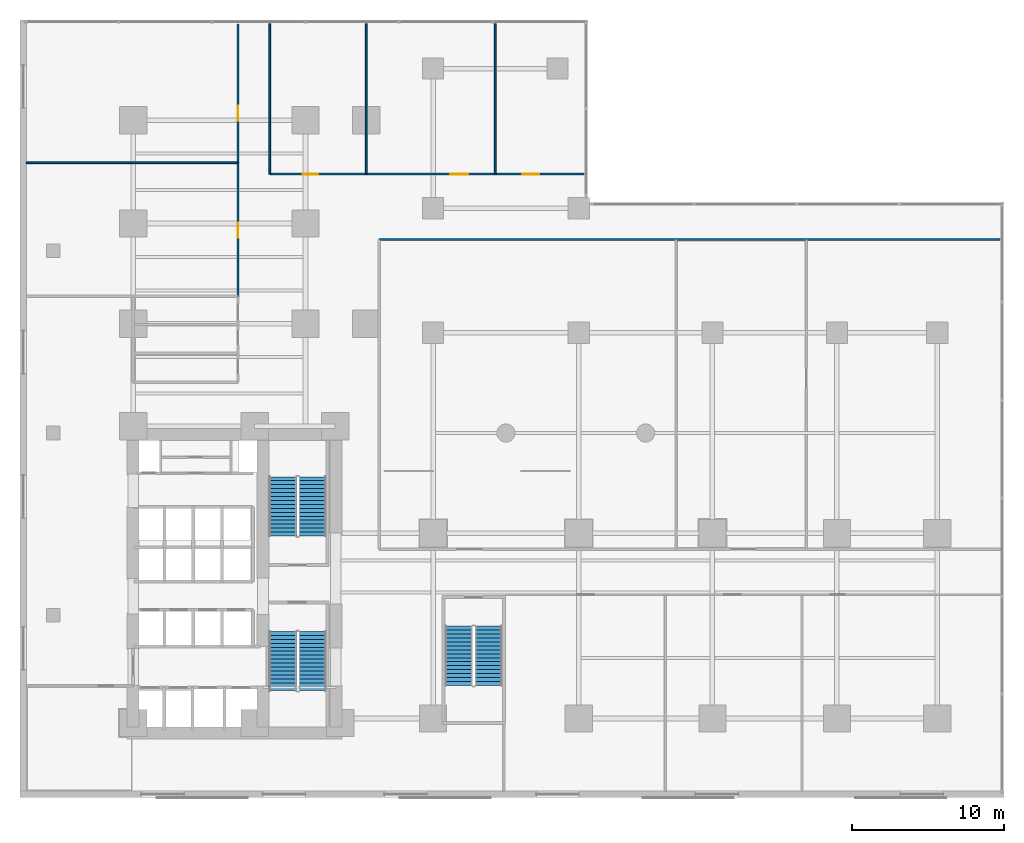
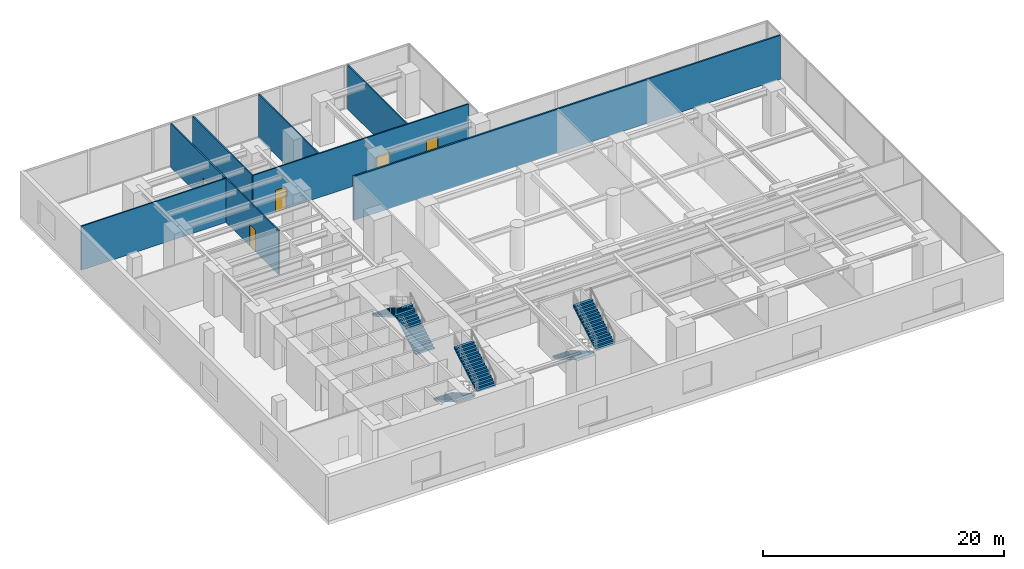
# One storey, part 14 of 16: 7 walls, 6 stair flights, 5 doors, 5 openings, 3 elements without a shape of their own.
"""IFC4 building model written with IfcOpenShell, lengths in metres."""

from ifc_helpers import new_model, si_unit, direction, frame, frame_2d, origin, place, context, subcontext, project, spatial, polyline, rectangle, outline, extrude, material, layer, layer_set, type_object, element, fill, aggregate, save


model = new_model("IFC4")

# Units and contexts
model_context = context("Model", 3, precision=1e-05, world=origin(), true_north=direction((0.0, 1.0)))
body_context = subcontext(model_context, "Body", "Model", "MODEL_VIEW")
ifc_project = project(units=[si_unit("LENGTHUNIT", "METRE"), si_unit("AREAUNIT", "SQUARE_METRE"), si_unit("VOLUMEUNIT", "CUBIC_METRE"), si_unit("PLANEANGLEUNIT", "RADIAN"), si_unit("MASSUNIT", "GRAM", prefix="KILO")], contexts=[model_context])

# Site, building, storey
site_placement = place(None, origin())
site = spatial("IfcSite", under=ifc_project, at=site_placement, CompositionType="ELEMENT")
building_placement = place(site_placement, origin())
building = spatial("IfcBuilding", under=site, at=building_placement, Name="Kolvaren Waterfront Exchange", CompositionType="ELEMENT")
storey_placement = place(building_placement, frame((0.0, 0.0, 20.0)))
storey = spatial("IfcBuildingStorey", under=building, at=storey_placement, Name="L05", CompositionType="ELEMENT", Elevation=20.0)

# Wall, openings, doors
ifc_material_1 = material(Name="Acoustic gypsum steel stud", Category="steel")
ifc_layer_1 = layer(ifc_material_1, 0.125, Name="Acoustic gypsum steel stud")
ifc_layer_set_1 = layer_set([ifc_layer_1], Name="Acoustic gypsum steel stud")
wall_type_1 = type_object("IfcWallType", Name="ARC-PART-125", PredefinedType="PARTITIONING", material=ifc_layer_set_1)
wall_1_placement = place(storey_placement, frame((14.35009765625, 33.0, 0.0), z_axis=(0.0, 0.0, 1.0), x_axis=(0.0, 1.0, 0.0)))
wall_1 = element("IfcWall", 1, at=wall_1_placement, inside=storey, type_object=wall_type_1, Name="L05 interior wall PW-L05-POD-NW-E", PredefinedType="PARTITIONING", context=body_context, shape_type="SweptSolid", body=[
    extrude(rectangle(XDim=17.949951171875, YDim=0.125, at=frame_2d((8.97509765625, 0.0))), origin(), (0.0, 0.0, 1.0), 4.4599609375),
])
opening_1_placement = place(wall_1_placement, frame((3.85009765625, 0.0, 0.0)))
opening_1 = element("IfcOpeningElement", 2, at=opening_1_placement, cuts=wall_1, Name="Opening D03", PredefinedType="OPENING", context=body_context, shape_type="SweptSolid", body=[
    extrude(rectangle(XDim=1.0, YDim=2.199951171875, at=frame_2d((0.5, 1.10009765625))), frame((0.0, 0.072509765625, 0.0), z_axis=(0.0, -1.0, 0.0), x_axis=(1.0, 0.0, 0.0)), (0.0, 0.0, 1.0), 0.14501953125),
])
opening_2_placement = place(wall_1_placement, frame((11.550048828125, 0.0, 0.0)))
opening_2 = element("IfcOpeningElement", 3, at=opening_2_placement, cuts=wall_1, Name="Opening D03", PredefinedType="OPENING", context=body_context, shape_type="SweptSolid", body=[
    extrude(rectangle(XDim=1.0, YDim=2.199951171875, at=frame_2d((0.5, 1.10009765625))), frame((0.0, 0.072509765625, 0.0), z_axis=(0.0, -1.0, 0.0), x_axis=(1.0, 0.0, 0.0)), (0.0, 0.0, 1.0), 0.14501953125),
])
ifc_material_2 = material(Name="Oak veneer accessible timber", Category="wood")
door_type_1 = type_object("IfcDoorType", Name="ARC-DR-1000", OperationType="NOTDEFINED", PredefinedType="DOOR", material=ifc_material_2)
door_1_placement = place(opening_1_placement, origin())
door_1 = element("IfcDoor", 4, at=door_1_placement, inside=storey, type_object=door_type_1, Name="L05 door DR-L05-PIT1-D (D03)", OperationType="SINGLE_SWING_RIGHT", OverallHeight=2.199951171875, OverallWidth=1.0, PredefinedType="DOOR", context=body_context, shape_type="SweptSolid", body=[
    extrude(rectangle(XDim=1.0, YDim=2.199951171875, at=frame_2d((0.5, 1.10009765625))), frame((0.0, 0.02490234375, 0.0), z_axis=(0.0, -1.0, 0.0), x_axis=(1.0, 0.0, 0.0)), (0.0, 0.0, 1.0), 0.050048828125),
])
fill(opening_1, door_1)
door_2_placement = place(opening_2_placement, origin())
door_2 = element("IfcDoor", 5, at=door_2_placement, inside=storey, type_object=door_type_1, Name="L05 door DR-L05-PIT2-D (D03)", OperationType="SINGLE_SWING_LEFT", OverallHeight=2.199951171875, OverallWidth=1.0, PredefinedType="DOOR", context=body_context, shape_type="SweptSolid", body=[
    extrude(rectangle(XDim=1.0, YDim=2.199951171875, at=frame_2d((0.5, 1.10009765625))), frame((0.0, 0.02490234375, 0.0), z_axis=(0.0, -1.0, 0.0), x_axis=(1.0, 0.0, 0.0)), (0.0, 0.0, 1.0), 0.050048828125),
])
fill(opening_2, door_2)

# Wall
wall_2_placement = place(storey_placement, frame((0.419921875, 41.800048828125, 0.0), z_axis=(0.0, 0.0, 1.0), x_axis=(1.0, 0.0, 0.0)))
element("IfcWall", 6, at=wall_2_placement, inside=storey, type_object=wall_type_1, Name="L05 interior wall PW-L05-POD-NW-MID", PredefinedType="PARTITIONING", context=body_context, shape_type="SweptSolid", body=[
    extrude(rectangle(XDim=13.93017578125, YDim=0.125, at=frame_2d((6.965087890625, 0.0))), origin(), (0.0, 0.0, 1.0), 4.4599609375),
])

# Wall, openings, doors
wall_3_placement = place(storey_placement, frame((16.449951171875, 41.050048828125, 0.0), z_axis=(0.0, 0.0, 1.0), x_axis=(1.0, 0.0, 0.0)))
wall_3 = element("IfcWall", 7, at=wall_3_placement, inside=storey, type_object=wall_type_1, Name="L05 interior wall PW-L05-POD-NE-S", PredefinedType="PARTITIONING", context=body_context, shape_type="SweptSolid", body=[
    extrude(rectangle(XDim=20.699951171875, YDim=0.125, at=frame_2d((10.35009765625, 0.0))), origin(), (0.0, 0.0, 1.0), 4.4599609375),
])
opening_3_placement = place(wall_3_placement, frame((2.177978515625, 0.0, 0.0)))
opening_3 = element("IfcOpeningElement", 8, at=opening_3_placement, cuts=wall_3, Name="Opening D03", PredefinedType="OPENING", context=body_context, shape_type="SweptSolid", body=[
    extrude(rectangle(XDim=1.0, YDim=2.199951171875, at=frame_2d((0.5, 1.10009765625))), frame((0.0, 0.072509765625, 0.0), z_axis=(0.0, -1.0, 0.0), x_axis=(1.0, 0.0, 0.0)), (0.0, 0.0, 1.0), 0.14501953125),
])
opening_4_placement = place(wall_3_placement, frame((11.880859375, 0.0, 0.0)))
opening_4 = element("IfcOpeningElement", 9, at=opening_4_placement, cuts=wall_3, Name="Opening D05", PredefinedType="OPENING", context=body_context, shape_type="SweptSolid", body=[
    extrude(rectangle(XDim=1.199951171875, YDim=2.25, at=frame_2d((0.60009765625, 1.125))), frame((0.0, 0.072509765625, 0.0), z_axis=(0.0, -1.0, 0.0), x_axis=(1.0, 0.0, 0.0)), (0.0, 0.0, 1.0), 0.14501953125),
])
opening_5_placement = place(wall_3_placement, frame((16.62890625, 0.0, 0.0)))
opening_5 = element("IfcOpeningElement", 10, at=opening_5_placement, cuts=wall_3, Name="Opening D04", PredefinedType="OPENING", context=body_context, shape_type="SweptSolid", body=[
    extrude(rectangle(XDim=1.10009765625, YDim=2.199951171875, at=frame_2d((0.550048828125, 1.10009765625))), frame((0.0, 0.072509765625, 0.0), z_axis=(0.0, -1.0, 0.0), x_axis=(1.0, 0.0, 0.0)), (0.0, 0.0, 1.0), 0.14501953125),
])
door_3_placement = place(opening_3_placement, origin())
door_3 = element("IfcDoor", 11, at=door_3_placement, inside=storey, type_object=door_type_1, Name="L05 door DR-L05-POPS-D (D03)", OperationType="SINGLE_SWING_RIGHT", OverallHeight=2.199951171875, OverallWidth=1.0, PredefinedType="DOOR", context=body_context, shape_type="SweptSolid", body=[
    extrude(rectangle(XDim=1.0, YDim=2.199951171875, at=frame_2d((0.5, 1.10009765625))), frame((0.0, 0.02490234375, 0.0), z_axis=(0.0, -1.0, 0.0), x_axis=(1.0, 0.0, 0.0)), (0.0, 0.0, 1.0), 0.050048828125),
])
fill(opening_3, door_3)
ifc_material_3 = material(Name="Anodised bronze framed glass", Category="aluminium")
door_type_2 = type_object("IfcDoorType", Name="ARC-DR-1100", OperationType="NOTDEFINED", PredefinedType="DOOR", material=ifc_material_3)
door_4_placement = place(opening_5_placement, origin())
door_4 = element("IfcDoor", 12, at=door_4_placement, inside=storey, type_object=door_type_2, Name="L05 door DR-L05-PFOY2-D (D04)", OperationType="SINGLE_SWING_RIGHT", OverallHeight=2.199951171875, OverallWidth=1.10009765625, PredefinedType="DOOR", context=body_context, shape_type="SweptSolid", body=[
    extrude(rectangle(XDim=1.10009765625, YDim=2.199951171875, at=frame_2d((0.550048828125, 1.10009765625))), frame((0.0, 0.02490234375, 0.0), z_axis=(0.0, -1.0, 0.0), x_axis=(1.0, 0.0, 0.0)), (0.0, 0.0, 1.0), 0.050048828125),
])
fill(opening_5, door_4)
door_type_3 = type_object("IfcDoorType", Name="ARC-DR-1200", OperationType="NOTDEFINED", PredefinedType="DOOR", material=ifc_material_3)
door_5_placement = place(opening_4_placement, origin())
door_5 = element("IfcDoor", 13, at=door_5_placement, inside=storey, type_object=door_type_3, Name="L05 door DR-L05-PFOY1-D (D05)", OperationType="SINGLE_SWING_LEFT", OverallHeight=2.25, OverallWidth=1.199951171875, PredefinedType="DOOR", context=body_context, shape_type="SweptSolid", body=[
    extrude(rectangle(XDim=1.199951171875, YDim=2.25, at=frame_2d((0.60009765625, 1.125))), frame((0.0, 0.02490234375, 0.0), z_axis=(0.0, -1.0, 0.0), x_axis=(1.0, 0.0, 0.0)), (0.0, 0.0, 1.0), 0.050048828125),
])
fill(opening_4, door_5)

# Walls
for number, where, z_axis, x_axis, name in (
    (14, (16.449951171875, 41.050048828125, 0.0), (0.0, 0.0, 1.0), (0.0, 1.0, 0.0), "L05 interior wall PW-L05-POD-NE-W0"),
    (15, (22.800048828125, 41.050048828125, 0.0), (0.0, 0.0, 1.0), (0.0, 1.0, 0.0), "L05 interior wall PW-L05-POD-NE-M1"),
    (16, (31.300048828125, 41.050048828125, 0.0), (0.0, 0.0, 1.0), (0.0, 1.0, 0.0), "L05 interior wall PW-L05-POD-NE-M2"),
):
    element("IfcWall", number, at=place(storey_placement, frame(where, z_axis=z_axis, x_axis=x_axis)), inside=storey, type_object=wall_type_1, Name=name, PredefinedType="PARTITIONING", context=body_context, shape_type="SweptSolid", body=[
        extrude(rectangle(XDim=9.89990234375, YDim=0.125, at=frame_2d((4.949951171875, 0.0))), origin(), (0.0, 0.0, 1.0), 4.4599609375),
    ])
ifc_material_4 = material(Name="Gypsum fireboard steel stud", Category="steel")
ifc_layer_2 = layer(ifc_material_4, 0.14990234375, Name="Gypsum fireboard steel stud")
ifc_layer_set_2 = layer_set([ifc_layer_2], Name="Gypsum fireboard steel stud")
wall_type_2 = type_object("IfcWallType", Name="ARC-PART-150", PredefinedType="PARTITIONING", material=ifc_layer_set_2)
wall_4_placement = place(storey_placement, frame((23.64990234375, 36.75, 0.0), z_axis=(0.0, 0.0, 1.0), x_axis=(1.0, 0.0, 0.0)))
element("IfcWall", 17, at=wall_4_placement, inside=storey, type_object=wall_type_2, Name="L05 interior wall PW-L05-POD-HALL-N", PredefinedType="PARTITIONING", context=body_context, shape_type="SweptSolid", body=[
    extrude(rectangle(XDim=40.900146484375, YDim=0.14990234375, at=frame_2d((20.4501953125, 0.0))), origin(), (0.0, 0.0, 1.0), 4.4599609375),
])

# Stair, stair flights
ifc_material_5 = material(Name="Concrete C40/50", Category="concrete")
stair_type = type_object("IfcStairType", Name="ARC-STAIR-4800", PredefinedType="HALF_TURN_STAIR", material=ifc_material_5)
stair_1_placement = place(storey_placement, origin())
stair_1 = element("IfcStair", 18, at=stair_1_placement, inside=storey, type_object=stair_type, Name="L05 Smoke-proof exit stair ST1", PredefinedType="HALF_TURN_STAIR")
stair_flight_type = type_object("IfcStairFlightType", Name="ARC-FLIGHT-4800", PredefinedType="STRAIGHT", material=ifc_material_5)
stair_flight_1_placement = place(storey_placement, frame((17.300048828125, 10.929931640625, 0.0), z_axis=(0.0, 0.0, 1.0), x_axis=(0.0, -1.0, 0.0)))
stair_flight_1 = element("IfcStairFlight", 19, at=stair_flight_1_placement, type_object=stair_flight_type, Name="ST1 flight 1", NumberOfRisers=16, NumberOfTreads=15, PredefinedType="STRAIGHT", RiserHeight=0.15, TreadLength=0.26, context=body_context, shape_type="SweptSolid", body=[
    extrude(outline(polyline([(0.0, 0.0), (0.0, 0.14990234375), (0.260009765625, 0.14990234375), (0.260009765625, 0.300048828125), (0.52001953125, 0.300048828125), (0.52001953125, 0.449951171875), (0.780029296875, 0.449951171875), (0.780029296875, 0.60009765625), (1.0400390625, 0.60009765625), (1.0400390625, 0.75), (1.300048828125, 0.75), (1.300048828125, 0.89990234375), (1.56005859375, 0.89990234375), (1.56005859375, 1.050048828125), (1.820068359375, 1.050048828125), (1.820068359375, 1.199951171875), (2.080078125, 1.199951171875), (2.080078125, 1.35009765625), (2.340087890625, 1.35009765625), (2.340087890625, 1.5), (2.60009765625, 1.5), (2.60009765625, 1.64990234375), (2.860107421875, 1.64990234375), (2.860107421875, 1.800048828125), (3.1201171875, 1.800048828125), (3.1201171875, 1.949951171875), (3.3798828125, 1.949951171875), (3.3798828125, 2.10009765625), (3.639892578125, 2.10009765625), (3.639892578125, 2.25), (3.89990234375, 2.25), (3.89990234375, 2.39990234375), (3.89990234375, 2.076904296875), (0.300048828125, 0.0), (0.0, 0.0)])), frame((0.0, 0.89990234375, 0.0), z_axis=(0.0, -1.0, 0.0), x_axis=(1.0, 0.0, 0.0)), (0.0, 0.0, 1.0), 1.800048828125),
])
stair_flight_2_placement = place(storey_placement, frame((19.260009765625, 7.030029296875, 2.39990234375), z_axis=(0.0, 0.0, 1.0), x_axis=(0.0, 1.0, 0.0)))
stair_flight_2 = element("IfcStairFlight", 20, at=stair_flight_2_placement, type_object=stair_flight_type, Name="ST1 flight 2", NumberOfRisers=16, NumberOfTreads=15, PredefinedType="STRAIGHT", RiserHeight=0.15, TreadLength=0.26, context=body_context, shape_type="SweptSolid", body=[
    extrude(outline(polyline([(0.0, 0.0), (0.0, 0.14990234375), (0.260009765625, 0.14990234375), (0.260009765625, 0.300048828125), (0.52001953125, 0.300048828125), (0.52001953125, 0.449951171875), (0.780029296875, 0.449951171875), (0.780029296875, 0.60009765625), (1.0400390625, 0.60009765625), (1.0400390625, 0.75), (1.300048828125, 0.75), (1.300048828125, 0.89990234375), (1.56005859375, 0.89990234375), (1.56005859375, 1.050048828125), (1.820068359375, 1.050048828125), (1.820068359375, 1.199951171875), (2.080078125, 1.199951171875), (2.080078125, 1.35009765625), (2.340087890625, 1.35009765625), (2.340087890625, 1.5), (2.60009765625, 1.5), (2.60009765625, 1.64990234375), (2.860107421875, 1.64990234375), (2.860107421875, 1.800048828125), (3.1201171875, 1.800048828125), (3.1201171875, 1.949951171875), (3.3798828125, 1.949951171875), (3.3798828125, 2.10009765625), (3.639892578125, 2.10009765625), (3.639892578125, 2.25), (3.89990234375, 2.25), (3.89990234375, 2.39990234375), (3.89990234375, 2.076904296875), (0.300048828125, 0.0), (0.0, 0.0)])), frame((0.0, 0.89990234375, 0.0), z_axis=(0.0, -1.0, 0.0), x_axis=(1.0, 0.0, 0.0)), (0.0, 0.0, 1.0), 1.800048828125),
])
aggregate(stair_1, [stair_flight_1, stair_flight_2])

stair_2_placement = place(storey_placement, origin())
stair_2 = element("IfcStair", 21, at=stair_2_placement, inside=storey, type_object=stair_type, Name="L05 Smoke-proof exit stair ST2", PredefinedType="HALF_TURN_STAIR")
stair_flight_3_placement = place(storey_placement, frame((19.260009765625, 17.219970703125, 0.0), z_axis=(0.0, 0.0, 1.0), x_axis=(0.0, 1.0, 0.0)))
stair_flight_3 = element("IfcStairFlight", 22, at=stair_flight_3_placement, type_object=stair_flight_type, Name="ST2 flight 1", NumberOfRisers=16, NumberOfTreads=15, PredefinedType="STRAIGHT", RiserHeight=0.15, TreadLength=0.26, context=body_context, shape_type="SweptSolid", body=[
    extrude(outline(polyline([(0.0, 0.0), (0.0, 0.14990234375), (0.260009765625, 0.14990234375), (0.260009765625, 0.300048828125), (0.52001953125, 0.300048828125), (0.52001953125, 0.449951171875), (0.780029296875, 0.449951171875), (0.780029296875, 0.60009765625), (1.0400390625, 0.60009765625), (1.0400390625, 0.75), (1.300048828125, 0.75), (1.300048828125, 0.89990234375), (1.56005859375, 0.89990234375), (1.56005859375, 1.050048828125), (1.820068359375, 1.050048828125), (1.820068359375, 1.199951171875), (2.080078125, 1.199951171875), (2.080078125, 1.35009765625), (2.340087890625, 1.35009765625), (2.340087890625, 1.5), (2.60009765625, 1.5), (2.60009765625, 1.64990234375), (2.860107421875, 1.64990234375), (2.860107421875, 1.800048828125), (3.1201171875, 1.800048828125), (3.1201171875, 1.949951171875), (3.3798828125, 1.949951171875), (3.3798828125, 2.10009765625), (3.639892578125, 2.10009765625), (3.639892578125, 2.25), (3.89990234375, 2.25), (3.89990234375, 2.39990234375), (3.89990234375, 2.076904296875), (0.300048828125, 0.0), (0.0, 0.0)])), frame((0.0, 0.89990234375, 0.0), z_axis=(0.0, -1.0, 0.0), x_axis=(1.0, 0.0, 0.0)), (0.0, 0.0, 1.0), 1.800048828125),
])
stair_flight_4_placement = place(storey_placement, frame((17.300048828125, 21.1201171875, 2.39990234375), z_axis=(0.0, 0.0, 1.0), x_axis=(0.0, -1.0, 0.0)))
stair_flight_4 = element("IfcStairFlight", 23, at=stair_flight_4_placement, type_object=stair_flight_type, Name="ST2 flight 2", NumberOfRisers=16, NumberOfTreads=15, PredefinedType="STRAIGHT", RiserHeight=0.15, TreadLength=0.26, context=body_context, shape_type="SweptSolid", body=[
    extrude(outline(polyline([(0.0, 0.0), (0.0, 0.14990234375), (0.260009765625, 0.14990234375), (0.260009765625, 0.300048828125), (0.52001953125, 0.300048828125), (0.52001953125, 0.449951171875), (0.780029296875, 0.449951171875), (0.780029296875, 0.60009765625), (1.0400390625, 0.60009765625), (1.0400390625, 0.75), (1.300048828125, 0.75), (1.300048828125, 0.89990234375), (1.56005859375, 0.89990234375), (1.56005859375, 1.050048828125), (1.820068359375, 1.050048828125), (1.820068359375, 1.199951171875), (2.080078125, 1.199951171875), (2.080078125, 1.35009765625), (2.340087890625, 1.35009765625), (2.340087890625, 1.5), (2.60009765625, 1.5), (2.60009765625, 1.64990234375), (2.860107421875, 1.64990234375), (2.860107421875, 1.800048828125), (3.1201171875, 1.800048828125), (3.1201171875, 1.949951171875), (3.3798828125, 1.949951171875), (3.3798828125, 2.10009765625), (3.639892578125, 2.10009765625), (3.639892578125, 2.25), (3.89990234375, 2.25), (3.89990234375, 2.39990234375), (3.89990234375, 2.076904296875), (0.300048828125, 0.0), (0.0, 0.0)])), frame((0.0, 0.89990234375, 0.0), z_axis=(0.0, -1.0, 0.0), x_axis=(1.0, 0.0, 0.0)), (0.0, 0.0, 1.0), 1.800048828125),
])
aggregate(stair_2, [stair_flight_3, stair_flight_4])

stair_3_placement = place(storey_placement, origin())
stair_3 = element("IfcStair", 24, at=stair_3_placement, inside=storey, type_object=stair_type, Name="L05 Exit stair ST3", PredefinedType="HALF_TURN_STAIR")
stair_flight_5_placement = place(storey_placement, frame((28.89990234375, 11.280029296875, 0.0), z_axis=(0.0, 0.0, 1.0), x_axis=(0.0, -1.0, 0.0)))
stair_flight_5 = element("IfcStairFlight", 25, at=stair_flight_5_placement, type_object=stair_flight_type, Name="ST3 flight 1", NumberOfRisers=16, NumberOfTreads=15, PredefinedType="STRAIGHT", RiserHeight=0.15, TreadLength=0.26, context=body_context, shape_type="SweptSolid", body=[
    extrude(outline(polyline([(0.0, 0.0), (0.0, 0.14990234375), (0.260009765625, 0.14990234375), (0.260009765625, 0.300048828125), (0.52001953125, 0.300048828125), (0.52001953125, 0.449951171875), (0.780029296875, 0.449951171875), (0.780029296875, 0.60009765625), (1.0400390625, 0.60009765625), (1.0400390625, 0.75), (1.300048828125, 0.75), (1.300048828125, 0.89990234375), (1.56005859375, 0.89990234375), (1.56005859375, 1.050048828125), (1.820068359375, 1.050048828125), (1.820068359375, 1.199951171875), (2.080078125, 1.199951171875), (2.080078125, 1.35009765625), (2.340087890625, 1.35009765625), (2.340087890625, 1.5), (2.60009765625, 1.5), (2.60009765625, 1.64990234375), (2.860107421875, 1.64990234375), (2.860107421875, 1.800048828125), (3.1201171875, 1.800048828125), (3.1201171875, 1.949951171875), (3.3798828125, 1.949951171875), (3.3798828125, 2.10009765625), (3.639892578125, 2.10009765625), (3.639892578125, 2.25), (3.89990234375, 2.25), (3.89990234375, 2.39990234375), (3.89990234375, 2.076904296875), (0.300048828125, 0.0), (0.0, 0.0)])), frame((0.0, 0.89990234375, 0.0), z_axis=(0.0, -1.0, 0.0), x_axis=(1.0, 0.0, 0.0)), (0.0, 0.0, 1.0), 1.800048828125),
])
stair_flight_6_placement = place(storey_placement, frame((30.860107421875, 7.3798828125, 2.39990234375), z_axis=(0.0, 0.0, 1.0), x_axis=(0.0, 1.0, 0.0)))
stair_flight_6 = element("IfcStairFlight", 26, at=stair_flight_6_placement, type_object=stair_flight_type, Name="ST3 flight 2", NumberOfRisers=16, NumberOfTreads=15, PredefinedType="STRAIGHT", RiserHeight=0.15, TreadLength=0.26, context=body_context, shape_type="SweptSolid", body=[
    extrude(outline(polyline([(0.0, 0.0), (0.0, 0.14990234375), (0.260009765625, 0.14990234375), (0.260009765625, 0.300048828125), (0.52001953125, 0.300048828125), (0.52001953125, 0.449951171875), (0.780029296875, 0.449951171875), (0.780029296875, 0.60009765625), (1.0400390625, 0.60009765625), (1.0400390625, 0.75), (1.300048828125, 0.75), (1.300048828125, 0.89990234375), (1.56005859375, 0.89990234375), (1.56005859375, 1.050048828125), (1.820068359375, 1.050048828125), (1.820068359375, 1.199951171875), (2.080078125, 1.199951171875), (2.080078125, 1.35009765625), (2.340087890625, 1.35009765625), (2.340087890625, 1.5), (2.60009765625, 1.5), (2.60009765625, 1.64990234375), (2.860107421875, 1.64990234375), (2.860107421875, 1.800048828125), (3.1201171875, 1.800048828125), (3.1201171875, 1.949951171875), (3.3798828125, 1.949951171875), (3.3798828125, 2.10009765625), (3.639892578125, 2.10009765625), (3.639892578125, 2.25), (3.89990234375, 2.25), (3.89990234375, 2.39990234375), (3.89990234375, 2.076904296875), (0.300048828125, 0.0), (0.0, 0.0)])), frame((0.0, 0.89990234375, 0.0), z_axis=(0.0, -1.0, 0.0), x_axis=(1.0, 0.0, 0.0)), (0.0, 0.0, 1.0), 1.800048828125),
])
aggregate(stair_3, [stair_flight_5, stair_flight_6])

save(model, "model.ifc")
